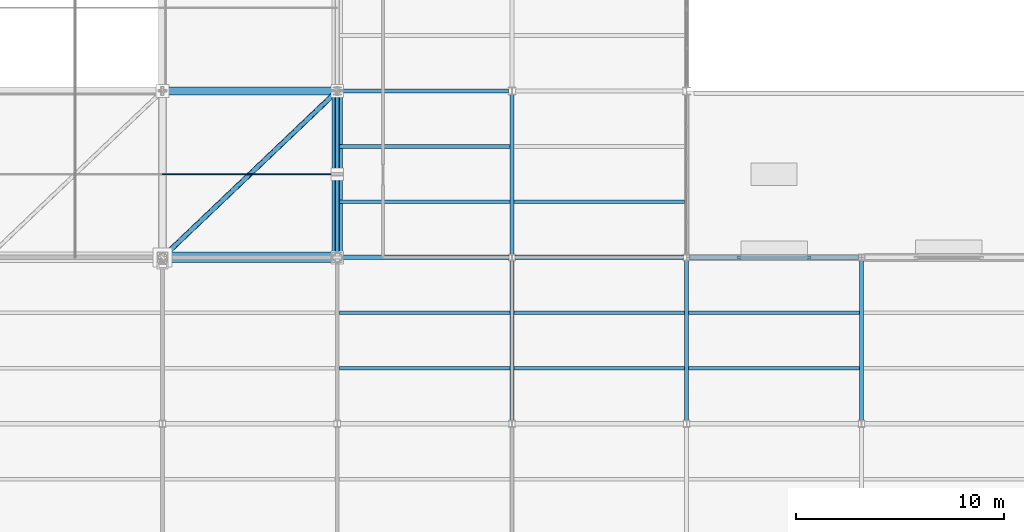
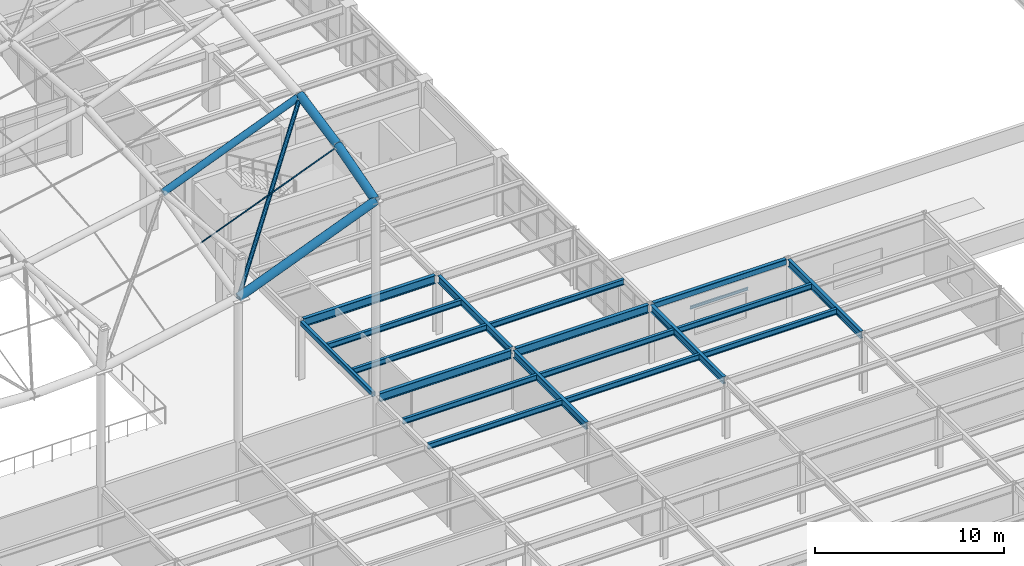
# One storey, part 35 of 138: 23 beams, 2 members.
"""IFC4 building model written with IfcOpenShell, lengths in metres."""

from ifc_helpers import new_model, si_unit, direction, frame, origin, origin_2d, place, context, subcontext, project, spatial, hollow_rectangle, circle, hollow_circle, i_section, extrude, material, material_profile, profile_set, type_object, element, save


model = new_model("IFC4")

# Units and contexts
model_context = context("Model", 3, precision=1e-05, world=origin(), true_north=direction((0.0, 1.0)))
body_context = subcontext(model_context, "Body", "Model", "MODEL_VIEW")
ifc_project = project(units=[si_unit("LENGTHUNIT", "METRE"), si_unit("AREAUNIT", "SQUARE_METRE"), si_unit("VOLUMEUNIT", "CUBIC_METRE"), si_unit("PLANEANGLEUNIT", "RADIAN"), si_unit("MASSUNIT", "GRAM", prefix="KILO")], contexts=[model_context])

# Site, building, storey
site_placement = place(None, origin())
site = spatial("IfcSite", under=ifc_project, at=site_placement, CompositionType="ELEMENT")
building_placement = place(site_placement, origin())
building = spatial("IfcBuilding", under=site, at=building_placement, Name="Kranzveld Transit Interchange", CompositionType="ELEMENT")
storey_placement = place(building_placement, frame((0.0, 0.0, 5.43994140625)))
storey = spatial("IfcBuildingStorey", under=building, at=storey_placement, Name="L01", CompositionType="ELEMENT", Elevation=5.43994140625)

# Beams
ifc_material_1 = material(Name="Steel S355JR", Category="steel")
ifc_material_profile_1 = material_profile(ifc_material_1, i_section(OverallWidth=0.19189453125, OverallDepth=0.46337890625, WebThickness=0.010498046875, FlangeThickness=0.017578125, FilletRadius=0.01025390625, at=origin_2d()), Name="UB 457x191x89")
ifc_profile_set_1 = profile_set([ifc_material_profile_1], Name="Steel S355JR")
beam_type_1 = type_object("IfcBeamType", Name="Beam Steel UB 457x191x89 S355JR", PredefinedType="BEAM", material=ifc_profile_set_1)
beam_1_placement = place(storey_placement, frame((109.199951171875, 48.150146484375, 3.568359375), z_axis=(0.0, 1.0, 0.0), x_axis=(-1.0, 0.0, 0.0)))
element("IfcBeam", 1, at=beam_1_placement, inside=storey, type_object=beam_type_1, Name="L01 Girder 14/G-H", PredefinedType="BEAM", context=body_context, shape_type="SweptSolid", body=[
    extrude(i_section(OverallWidth=0.19189453125, OverallDepth=0.46337890625, WebThickness=0.010498046875, FlangeThickness=0.017578125, FilletRadius=0.01025390625, at=origin_2d()), origin(), (0.0, 0.0, 1.0), 7.69970703125),
])
beam_2_placement = place(storey_placement, frame((109.199951171875, 56.150146484375, 3.568359375), z_axis=(0.0, 1.0, 0.0), x_axis=(-1.0, 0.0, 0.0)))
element("IfcBeam", 2, at=beam_2_placement, inside=storey, type_object=beam_type_1, Name="L01 Girder 14/H-J", PredefinedType="BEAM", context=body_context, shape_type="SweptSolid", body=[
    extrude(i_section(OverallWidth=0.19189453125, OverallDepth=0.46337890625, WebThickness=0.010498046875, FlangeThickness=0.017578125, FilletRadius=0.01025390625, at=origin_2d()), origin(), (0.0, 0.0, 1.0), 7.672607421875),
])
for number, where, z_axis, x_axis, name in (
    (3, (117.60009765625, 48.150146484375, 3.568359375), (0.0, 1.0, 0.0), (-1.0, 0.0, 0.0), "L01 Girder 15/G-H"),
    (4, (126.0, 48.150146484375, 3.568359375), (0.0, 1.0, 0.0), (-1.0, 0.0, 0.0), "L01 Girder 16/G-H"),
):
    element("IfcBeam", number, at=place(storey_placement, frame(where, z_axis=z_axis, x_axis=x_axis)), inside=storey, type_object=beam_type_1, Name=name, PredefinedType="BEAM", context=body_context, shape_type="SweptSolid", body=[
        extrude(i_section(OverallWidth=0.19189453125, OverallDepth=0.46337890625, WebThickness=0.010498046875, FlangeThickness=0.017578125, FilletRadius=0.01025390625, at=origin_2d()), origin(), (0.0, 0.0, 1.0), 7.69970703125),
    ])
ifc_material_2 = material(Name="Steel S355JR", Category="steel")
ifc_material_profile_2 = material_profile(ifc_material_2, hollow_rectangle(XDim=0.199951171875, YDim=0.300048828125, WallThickness=0.010009765625, InnerFilletRadius=0.014892578125, OuterFilletRadius=0.02490234375, at=origin_2d()), Name="RHS 300x200x10")
ifc_profile_set_2 = profile_set([ifc_material_profile_2], Name="Steel S355JR")
beam_type_2 = type_object("IfcBeamType", Name="Edge Spandrel RHS 300x200x10 S355JR", PredefinedType="SPANDREL", material=ifc_profile_set_2)
beam_3_placement = place(storey_placement, frame((100.800048828125, 56.218505859375, 3.650146484375), z_axis=(0.0, 1.0, 0.0), x_axis=(-1.0, 0.0, 0.0)))
element("IfcBeam", 5, at=beam_3_placement, inside=storey, type_object=beam_type_2, Name="L01 Girder 13/H-J", PredefinedType="SPANDREL", context=body_context, shape_type="SweptSolid", body=[
    extrude(hollow_rectangle(XDim=0.199951171875, YDim=0.300048828125, WallThickness=0.010009765625, InnerFilletRadius=0.014892578125, OuterFilletRadius=0.02490234375, at=origin_2d()), origin(), (0.0, 0.0, 1.0), 7.604248046875),
])
ifc_material_3 = material(Name="Steel S355JR", Category="steel")
ifc_material_profile_3 = material_profile(ifc_material_3, hollow_rectangle(XDim=0.25, YDim=0.35009765625, WallThickness=0.012451171875, InnerFilletRadius=0.018798828125, OuterFilletRadius=0.03125, at=origin_2d()), Name="RHS 350x250x12.5")
ifc_profile_set_3 = profile_set([ifc_material_profile_3], Name="Steel S355JR")
beam_type_3 = type_object("IfcBeamType", Name="Edge Spandrel RHS 350x250x12.5 S355JR", PredefinedType="SPANDREL", material=ifc_profile_set_3)
beam_4_placement = place(storey_placement, frame((117.74462890625, 56.0, 3.625), z_axis=(1.0, 0.0, 0.0), x_axis=(0.0, 1.0, 0.0)))
element("IfcBeam", 6, at=beam_4_placement, inside=storey, type_object=beam_type_3, Name="L01 Girder 15-16/H", PredefinedType="SPANDREL", context=body_context, shape_type="SweptSolid", body=[
    extrude(hollow_rectangle(XDim=0.25, YDim=0.35009765625, WallThickness=0.012451171875, InnerFilletRadius=0.018798828125, OuterFilletRadius=0.03125, at=origin_2d()), origin(), (0.0, 0.0, 1.0), 8.11083984375),
])
ifc_material_4 = material(Name="Steel S355JR", Category="steel")
ifc_material_profile_4 = material_profile(ifc_material_4, i_section(OverallWidth=0.172119140625, OverallDepth=0.35791015625, WebThickness=0.008056640625, FlangeThickness=0.012939453125, FilletRadius=0.01025390625, at=origin_2d()), Name="UB 356x171x57")
ifc_profile_set_4 = profile_set([ifc_material_profile_4], Name="Steel S355JR")
beam_type_4 = type_object("IfcBeamType", Name="Floor Joist UB 356x171x57 S355JR", PredefinedType="JOIST", material=ifc_profile_set_4)
for number, where, z_axis, x_axis, name in (
    (7, (100.89794921875, 50.666748046875, 3.62109375), (1.0, 0.0, 0.0), (0.0, 1.0, 0.0), "L01 Secondary Joist 13-14/G.1"),
    (8, (100.89794921875, 53.333251953125, 3.62109375), (1.0, 0.0, 0.0), (0.0, 1.0, 0.0), "L01 Secondary Joist 13-14/G.2"),
):
    element("IfcBeam", number, at=place(storey_placement, frame(where, z_axis=z_axis, x_axis=x_axis)), inside=storey, type_object=beam_type_4, Name=name, PredefinedType="JOIST", context=body_context, shape_type="SweptSolid", body=[
        extrude(i_section(OverallWidth=0.172119140625, OverallDepth=0.35791015625, WebThickness=0.008056640625, FlangeThickness=0.012939453125, FilletRadius=0.01025390625, at=origin_2d()), origin(), (0.0, 0.0, 1.0), 8.2041015625),
    ])
for number, where, z_axis, x_axis, name in (
    (9, (100.902099609375, 58.666748046875, 3.62109375), (1.0, 0.0, 0.0), (0.0, 1.0, 0.0), "L01 Secondary Joist 13-14/H.1"),
    (10, (100.902099609375, 61.333251953125, 3.62109375), (1.0, 0.0, 0.0), (0.0, 1.0, 0.0), "L01 Secondary Joist 13-14/H.2"),
):
    element("IfcBeam", number, at=place(storey_placement, frame(where, z_axis=z_axis, x_axis=x_axis)), inside=storey, type_object=beam_type_4, Name=name, PredefinedType="JOIST", context=body_context, shape_type="SweptSolid", body=[
        extrude(i_section(OverallWidth=0.172119140625, OverallDepth=0.35791015625, WebThickness=0.008056640625, FlangeThickness=0.012939453125, FilletRadius=0.01025390625, at=origin_2d()), origin(), (0.0, 0.0, 1.0), 8.199951171875),
    ])
for number, where, z_axis, x_axis, name in (
    (11, (109.2978515625, 50.666748046875, 3.62109375), (1.0, 0.0, 0.0), (0.0, 1.0, 0.0), "L01 Secondary Joist 14-15/G.1"),
    (12, (109.2978515625, 53.333251953125, 3.62109375), (1.0, 0.0, 0.0), (0.0, 1.0, 0.0), "L01 Secondary Joist 14-15/G.2"),
):
    element("IfcBeam", number, at=place(storey_placement, frame(where, z_axis=z_axis, x_axis=x_axis)), inside=storey, type_object=beam_type_4, Name=name, PredefinedType="JOIST", context=body_context, shape_type="SweptSolid", body=[
        extrude(i_section(OverallWidth=0.172119140625, OverallDepth=0.35791015625, WebThickness=0.008056640625, FlangeThickness=0.012939453125, FilletRadius=0.01025390625, at=origin_2d()), origin(), (0.0, 0.0, 1.0), 8.2041015625),
    ])
beam_5_placement = place(storey_placement, frame((109.2978515625, 58.666748046875, 3.62109375), z_axis=(1.0, 0.0, 0.0), x_axis=(0.0, 1.0, 0.0)))
element("IfcBeam", 13, at=beam_5_placement, inside=storey, type_object=beam_type_4, Name="L01 Secondary Joist 14-15/H.1", PredefinedType="JOIST", context=body_context, shape_type="SweptSolid", body=[
    extrude(i_section(OverallWidth=0.172119140625, OverallDepth=0.35791015625, WebThickness=0.008056640625, FlangeThickness=0.012939453125, FilletRadius=0.01025390625, at=origin_2d()), origin(), (0.0, 0.0, 1.0), 8.2001953125),
])
for number, where, z_axis, x_axis, name in (
    (14, (117.697998046875, 50.666748046875, 3.62109375), (1.0, 0.0, 0.0), (0.0, 1.0, 0.0), "L01 Secondary Joist 15-16/G.1"),
    (15, (117.697998046875, 53.333251953125, 3.62109375), (1.0, 0.0, 0.0), (0.0, 1.0, 0.0), "L01 Secondary Joist 15-16/G.2"),
):
    element("IfcBeam", number, at=place(storey_placement, frame(where, z_axis=z_axis, x_axis=x_axis)), inside=storey, type_object=beam_type_4, Name=name, PredefinedType="JOIST", context=body_context, shape_type="SweptSolid", body=[
        extrude(i_section(OverallWidth=0.172119140625, OverallDepth=0.35791015625, WebThickness=0.008056640625, FlangeThickness=0.012939453125, FilletRadius=0.01025390625, at=origin_2d()), origin(), (0.0, 0.0, 1.0), 8.2041015625),
    ])
ifc_material_5 = material(Name="Steel S355JR", Category="steel")
ifc_material_profile_5 = material_profile(ifc_material_5, i_section(OverallWidth=0.210693359375, OverallDepth=0.53955078125, WebThickness=0.01171875, FlangeThickness=0.018798828125, FilletRadius=0.0126953125, at=origin_2d()), Name="UB 533x210x109")
ifc_profile_set_5 = profile_set([ifc_material_profile_5], Name="Steel S355JR")
beam_type_5 = type_object("IfcBeamType", Name="Girder Steel UB 533x210x109 S355JR", PredefinedType="BEAM", material=ifc_profile_set_5)
beam_6_placement = place(storey_placement, frame((101.0185546875, 56.0, 3.5302734375), z_axis=(1.0, 0.0, 0.0), x_axis=(0.0, 1.0, 0.0)))
element("IfcBeam", 16, at=beam_6_placement, inside=storey, type_object=beam_type_5, Name="L01 Girder 13-14/H", PredefinedType="BEAM", context=body_context, shape_type="SweptSolid", body=[
    extrude(i_section(OverallWidth=0.210693359375, OverallDepth=0.53955078125, WebThickness=0.01171875, FlangeThickness=0.018798828125, FilletRadius=0.0126953125, at=origin_2d()), origin(), (0.0, 0.0, 1.0), 8.036865234375),
])
beam_7_placement = place(storey_placement, frame((109.344482421875, 56.0, 3.5302734375), z_axis=(1.0, 0.0, 0.0), x_axis=(0.0, 1.0, 0.0)))
element("IfcBeam", 17, at=beam_7_placement, inside=storey, type_object=beam_type_5, Name="L01 Girder 14-15/H", PredefinedType="BEAM", context=body_context, shape_type="SweptSolid", body=[
    extrude(i_section(OverallWidth=0.210693359375, OverallDepth=0.53955078125, WebThickness=0.01171875, FlangeThickness=0.018798828125, FilletRadius=0.0126953125, at=origin_2d()), origin(), (0.0, 0.0, 1.0), 8.11083984375),
])
beam_8_placement = place(storey_placement, frame((100.977294921875, 64.0, 3.5302734375), z_axis=(1.0, 0.0, 0.0), x_axis=(0.0, 1.0, 0.0)))
element("IfcBeam", 18, at=beam_8_placement, inside=storey, type_object=beam_type_5, Name="L01 Girder 13-14/J", PredefinedType="BEAM", context=body_context, shape_type="SweptSolid", body=[
    extrude(i_section(OverallWidth=0.210693359375, OverallDepth=0.53955078125, WebThickness=0.01171875, FlangeThickness=0.018798828125, FilletRadius=0.0126953125, at=origin_2d()), origin(), (0.0, 0.0, 1.0), 8.04541015625),
])

# Member
ifc_material_6 = material(Name="Steel S355JR", Category="steel")
ifc_material_profile_6 = material_profile(ifc_material_6, hollow_circle(Radius=0.122314453125, WallThickness=0.008056640625, at=origin_2d()), Name="CHS 244.5x8")
ifc_profile_set_6 = profile_set([ifc_material_profile_6], Name="Steel S355JR")
member_type_1 = type_object("IfcMemberType", Name="Lateral Brace CHS 244.5x8 S355JR", PredefinedType="BRACE", material=ifc_profile_set_6)
member_1_placement = place(storey_placement, frame((92.39990234375, 56.0, 12.93212890625), z_axis=(0.659128086301, 0.627730087828, 0.414131745565), x_axis=(-0.689648865971, 0.724143937118, 0.0)))
element("IfcMember", 19, at=member_1_placement, inside=storey, type_object=member_type_1, Name="Saddle Roof Plan Brace 12/H-13/J", PredefinedType="BRACE", context=body_context, shape_type="SweptSolid", body=[
    extrude(hollow_circle(Radius=0.122314453125, WallThickness=0.008056640625, at=origin_2d()), origin(), (0.0, 0.0, 1.0), 12.744384765625),
])

# Beams
ifc_material_7 = material(Name="Steel S355JR", Category="steel")
ifc_material_profile_7 = material_profile(ifc_material_7, i_section(OverallWidth=0.091064453125, OverallDepth=0.179931640625, WebThickness=0.00537109375, FlangeThickness=0.008056640625, FilletRadius=0.009033203125, at=origin_2d()), Name="IPE 180")
ifc_profile_set_7 = profile_set([ifc_material_profile_7], Name="Steel S355JR")
beam_type_6 = type_object("IfcBeamType", Name="Opening Lintel IPE 180 S355JR", PredefinedType="LINTEL", material=ifc_profile_set_7)
beam_9_placement = place(storey_placement, frame((120.02001953125, 56.0, 2.64501953125), z_axis=(1.0, 0.0, 0.0), x_axis=(0.0, 1.0, 0.0)))
element("IfcBeam", 20, at=beam_9_placement, inside=storey, type_object=beam_type_6, Name="L01 Window Lintel 103", PredefinedType="LINTEL", context=body_context, shape_type="SweptSolid", body=[
    extrude(i_section(OverallWidth=0.091064453125, OverallDepth=0.179931640625, WebThickness=0.00537109375, FlangeThickness=0.008056640625, FilletRadius=0.009033203125, at=origin_2d()), origin(), (0.0, 0.0, 1.0), 3.56005859375),
])
ifc_material_8 = material(Name="Steel S355JR", Category="steel")
ifc_material_profile_8 = material_profile(ifc_material_8, hollow_circle(Radius=0.25390625, WallThickness=0.02001953125, at=origin_2d()), Name="CHS 508x20")
ifc_profile_set_8 = profile_set([ifc_material_profile_8], Name="Steel S355JR")
beam_type_7 = type_object("IfcBeamType", Name="Ring Beam Steel CHS 508x20 S355JR", PredefinedType="BEAM", material=ifc_profile_set_8)
beam_10_placement = place(storey_placement, frame((92.39990234375, 56.0, 12.982177734375), z_axis=(0.929699657216, 0.0, 0.368318540631), x_axis=(0.0, 1.0, 0.0)))
element("IfcBeam", 21, at=beam_10_placement, inside=storey, type_object=beam_type_7, Name="Saddle Compression Ring Chord 12H-13H", PredefinedType="BEAM", context=body_context, shape_type="SweptSolid", body=[
    extrude(hollow_circle(Radius=0.25390625, WallThickness=0.02001953125, at=origin_2d()), origin(), (0.0, 0.0, 1.0), 9.035400390625),
])
beam_11_placement = place(storey_placement, frame((100.800048828125, 56.0, 16.31005859375), z_axis=(0.0, 0.96186658105, 0.273519067451), x_axis=(-1.0, 0.0, 0.0)))
element("IfcBeam", 22, at=beam_11_placement, inside=storey, type_object=beam_type_7, Name="Saddle Compression Ring Chord 13H-13Hm", PredefinedType="BEAM", context=body_context, shape_type="SweptSolid", body=[
    extrude(hollow_circle(Radius=0.25390625, WallThickness=0.02001953125, at=origin_2d()), origin(), (0.0, 0.0, 1.0), 4.15869140625),
])
beam_12_placement = place(storey_placement, frame((100.800048828125, 60.0, 17.447509765625), z_axis=(0.0, 0.979987319582, 0.19905992429), x_axis=(-1.0, 0.0, 0.0)))
element("IfcBeam", 23, at=beam_12_placement, inside=storey, type_object=beam_type_7, Name="Saddle Compression Ring Chord 13Hm-13J", PredefinedType="BEAM", context=body_context, shape_type="SweptSolid", body=[
    extrude(hollow_circle(Radius=0.25390625, WallThickness=0.02001953125, at=origin_2d()), origin(), (0.0, 0.0, 1.0), 4.081787109375),
])
ifc_material_9 = material(Name="Steel S355JR", Category="steel")
ifc_material_profile_9 = material_profile(ifc_material_9, hollow_circle(Radius=0.203125, WallThickness=0.01611328125, at=origin_2d()), Name="CHS 406.4x16")
ifc_profile_set_9 = profile_set([ifc_material_profile_9], Name="Steel S355JR")
beam_type_8 = type_object("IfcBeamType", Name="Saddle Arch Rib CHS 406.4x16 S355JR", PredefinedType="BEAM", material=ifc_profile_set_9)
beam_13_placement = place(storey_placement, frame((92.39990234375, 64.0, 14.902099609375), z_axis=(0.929699657216, 0.0, 0.368318540631), x_axis=(0.0, 1.0, 0.0)))
element("IfcBeam", 24, at=beam_13_placement, inside=storey, type_object=beam_type_8, Name="Saddle Arch Rib 12-13/J", PredefinedType="BEAM", context=body_context, shape_type="SweptSolid", body=[
    extrude(hollow_circle(Radius=0.203125, WallThickness=0.01611328125, at=origin_2d()), origin(), (0.0, 0.0, 1.0), 9.035400390625),
])

# Member
ifc_material_10 = material(Name="Steel S355JR", Category="steel")
ifc_material_profile_10 = material_profile(ifc_material_10, circle(Radius=0.031982421875, at=origin_2d()), Name="CABLE D64")
ifc_profile_set_10 = profile_set([ifc_material_profile_10], Name="Steel S355JR")
member_type_2 = type_object("IfcMemberType", Name="Saddle Carrying Cable D64 S355JR", PredefinedType="USERDEFINED", material=ifc_profile_set_10)
member_2_placement = place(storey_placement, frame((92.39990234375, 60.0, 14.069580078125), z_axis=(0.929699657216, 0.0, 0.368318540631), x_axis=(0.0, 1.0, 0.0)))
element("IfcMember", 25, at=member_2_placement, inside=storey, type_object=member_type_2, Name="Saddle Carrying Cable 12/J", ObjectType="CABLE", PredefinedType="USERDEFINED", context=body_context, shape_type="SweptSolid", body=[
    extrude(circle(Radius=0.031982421875, at=origin_2d()), origin(), (0.0, 0.0, 1.0), 9.035400390625),
])

save(model, "model.ifc")
